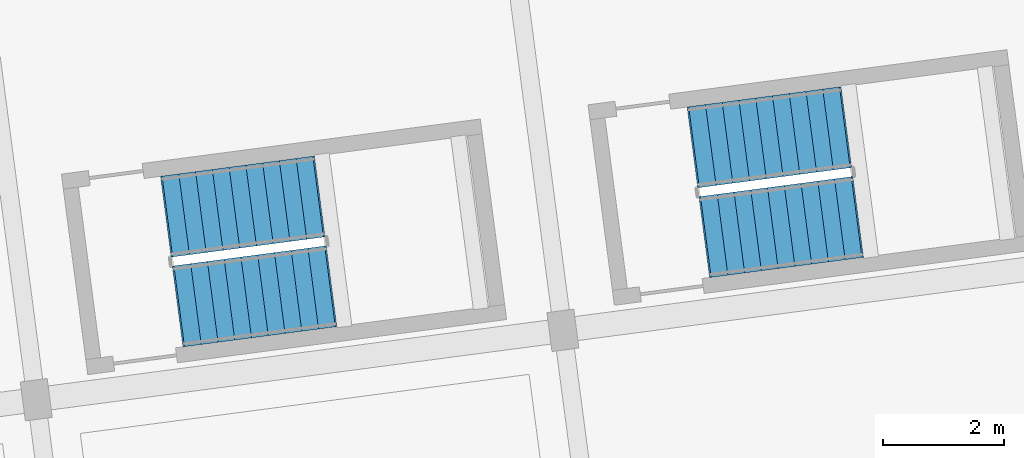
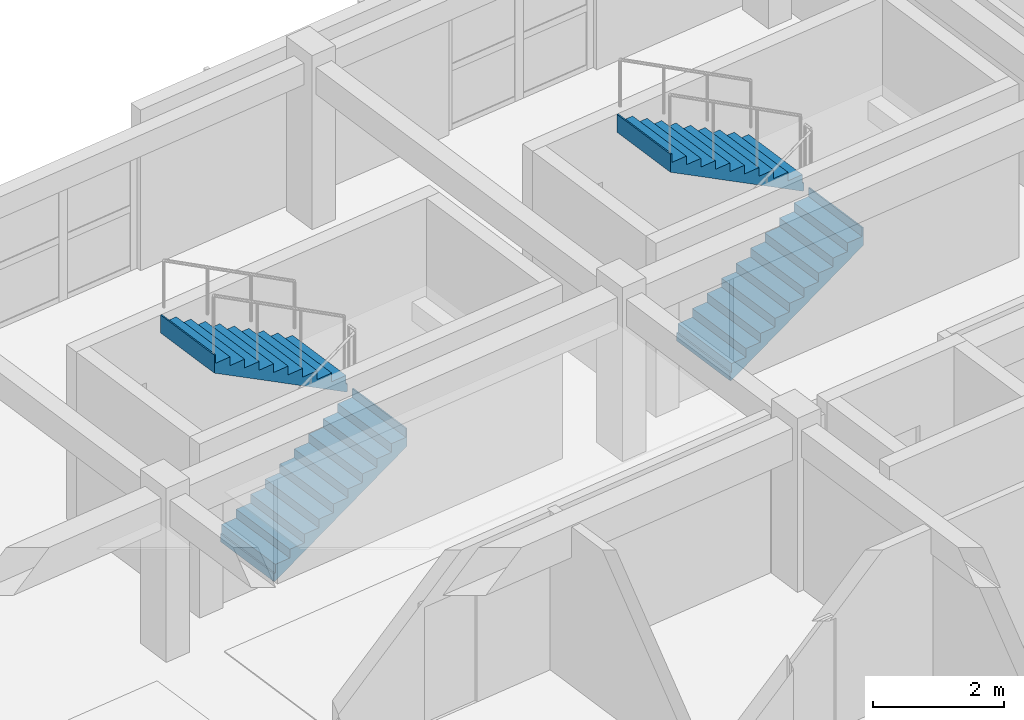
# One storey, part 20 of 31: 4 stair flights, 2 elements without a shape of their own.
"""IFC4 building model written with IfcOpenShell, lengths in metres."""

from ifc_helpers import new_model, si_unit, direction, frame, origin, place, context, subcontext, project, spatial, polyline, outline, extrude, material, type_object, element, aggregate, save


model = new_model("IFC4")

# Units and contexts
model_context = context("Model", 3, precision=1e-05, world=origin(), true_north=direction((0.0, 1.0)))
body_context = subcontext(model_context, "Body", "Model", "MODEL_VIEW")
ifc_project = project(units=[si_unit("LENGTHUNIT", "METRE"), si_unit("AREAUNIT", "SQUARE_METRE"), si_unit("VOLUMEUNIT", "CUBIC_METRE"), si_unit("PLANEANGLEUNIT", "RADIAN"), si_unit("MASSUNIT", "GRAM", prefix="KILO")], contexts=[model_context])

# Site, building, storey
site_placement = place(None, origin())
site = spatial("IfcSite", under=ifc_project, at=site_placement, CompositionType="ELEMENT")
building_placement = place(site_placement, origin())
building = spatial("IfcBuilding", under=site, at=building_placement, Name="Kestramere Prow Commons", CompositionType="ELEMENT")
storey_placement = place(building_placement, frame((0.0, 0.0, 37.64990234375)))
storey = spatial("IfcBuildingStorey", under=building, at=storey_placement, Name="L11", CompositionType="ELEMENT", Elevation=37.64990234375)

# Stair, stair flights
ifc_material = material(Name="Concrete C40/50", Category="concrete")
stair_type = type_object("IfcStairType", Name="ST-DOG-1350", PredefinedType="HALF_TURN_STAIR", material=ifc_material)
stair_1_placement = place(storey_placement, origin())
stair_1 = element("IfcStair", 1, at=stair_1_placement, inside=storey, type_object=stair_type, Name="L11 Block A Exit Stair 1", PredefinedType="HALF_TURN_STAIR")
stair_flight_type = type_object("IfcStairFlightType", Name="SFL-1350", PredefinedType="STRAIGHT", material=ifc_material)
stair_flight_1_placement = place(storey_placement, frame((20.70068359375, 86.79150390625, 0.0), z_axis=(0.0, 0.0, 1.0), x_axis=(0.991444861374, 0.13052619222, 0.0)))
stair_flight_1 = element("IfcStairFlight", 2, at=stair_flight_1_placement, type_object=stair_flight_type, Name="ST-A1 flight 1", NumberOfRisers=10, NumberOfTreads=9, PredefinedType="STRAIGHT", RiserHeight=0.1625, TreadLength=0.28, context=body_context, shape_type="SweptSolid", body=[
    extrude(outline(polyline([(-0.02490234375, 0.0), (0.0, 0.0), (0.0, 0.16259765625), (0.280029296875, 0.16259765625), (0.280029296875, 0.324951171875), (0.56005859375, 0.324951171875), (0.56005859375, 0.487548828125), (0.840087890625, 0.487548828125), (0.840087890625, 0.64990234375), (1.1201171875, 0.64990234375), (1.1201171875, 0.8125), (1.39990234375, 0.8125), (1.39990234375, 0.97509765625), (1.679931640625, 0.97509765625), (1.679931640625, 1.137451171875), (1.9599609375, 1.137451171875), (1.9599609375, 1.300048828125), (2.239990234375, 1.300048828125), (2.239990234375, 1.46240234375), (2.52001953125, 1.46240234375), (2.52001953125, 1.625), (2.544921875, 1.625), (2.544921875, 1.2890625), (0.0, -0.14990234375), (-0.02490234375, -0.14990234375), (-0.02490234375, 0.0)])), frame((0.0, 0.675048828125, 0.0), z_axis=(0.0, -1.0, 0.0), x_axis=(1.0, 0.0, 0.0)), (0.0, 0.0, 1.0), 1.35009765625),
])
stair_flight_2_placement = place(storey_placement, frame((23.003173828125, 88.607666015625, 1.625), z_axis=(0.0, 0.0, 1.0), x_axis=(-0.991444861374, -0.13052619222, 0.0)))
stair_flight_2 = element("IfcStairFlight", 3, at=stair_flight_2_placement, type_object=stair_flight_type, Name="ST-A1 flight 2", NumberOfRisers=10, NumberOfTreads=9, PredefinedType="STRAIGHT", RiserHeight=0.1625, TreadLength=0.28, context=body_context, shape_type="SweptSolid", body=[
    extrude(outline(polyline([(-0.02490234375, 0.0), (0.0, 0.0), (0.0, 0.16259765625), (0.280029296875, 0.16259765625), (0.280029296875, 0.324951171875), (0.56005859375, 0.324951171875), (0.56005859375, 0.487548828125), (0.840087890625, 0.487548828125), (0.840087890625, 0.64990234375), (1.1201171875, 0.64990234375), (1.1201171875, 0.8125), (1.39990234375, 0.8125), (1.39990234375, 0.97509765625), (1.679931640625, 0.97509765625), (1.679931640625, 1.137451171875), (1.9599609375, 1.137451171875), (1.9599609375, 1.300048828125), (2.239990234375, 1.300048828125), (2.239990234375, 1.46240234375), (2.52001953125, 1.46240234375), (2.52001953125, 1.625), (2.544921875, 1.625), (2.544921875, 1.2890625), (0.0, -0.14990234375), (-0.02490234375, -0.14990234375), (-0.02490234375, 0.0)])), frame((0.0, 0.675048828125, 0.0), z_axis=(0.0, -1.0, 0.0), x_axis=(1.0, 0.0, 0.0)), (0.0, 0.0, 1.0), 1.35009765625),
])
aggregate(stair_1, [stair_flight_1, stair_flight_2])

stair_2_placement = place(storey_placement, origin())
stair_2 = element("IfcStair", 4, at=stair_2_placement, inside=storey, type_object=stair_type, Name="L11 Block A Exit Stair 2", PredefinedType="HALF_TURN_STAIR")
stair_flight_3_placement = place(storey_placement, frame((29.42529296875, 87.940185546875, 0.0), z_axis=(0.0, 0.0, 1.0), x_axis=(0.991444861374, 0.13052619222, 0.0)))
stair_flight_3 = element("IfcStairFlight", 5, at=stair_flight_3_placement, type_object=stair_flight_type, Name="ST-A2 flight 1", NumberOfRisers=10, NumberOfTreads=9, PredefinedType="STRAIGHT", RiserHeight=0.1625, TreadLength=0.28, context=body_context, shape_type="SweptSolid", body=[
    extrude(outline(polyline([(-0.02490234375, 0.0), (0.0, 0.0), (0.0, 0.16259765625), (0.280029296875, 0.16259765625), (0.280029296875, 0.324951171875), (0.56005859375, 0.324951171875), (0.56005859375, 0.487548828125), (0.840087890625, 0.487548828125), (0.840087890625, 0.64990234375), (1.1201171875, 0.64990234375), (1.1201171875, 0.8125), (1.39990234375, 0.8125), (1.39990234375, 0.97509765625), (1.679931640625, 0.97509765625), (1.679931640625, 1.137451171875), (1.9599609375, 1.137451171875), (1.9599609375, 1.300048828125), (2.239990234375, 1.300048828125), (2.239990234375, 1.46240234375), (2.52001953125, 1.46240234375), (2.52001953125, 1.625), (2.544921875, 1.625), (2.544921875, 1.2890625), (0.0, -0.14990234375), (-0.02490234375, -0.14990234375), (-0.02490234375, 0.0)])), frame((0.0, 0.675048828125, 0.0), z_axis=(0.0, -1.0, 0.0), x_axis=(1.0, 0.0, 0.0)), (0.0, 0.0, 1.0), 1.35009765625),
])
stair_flight_4_placement = place(storey_placement, frame((31.72802734375, 89.75634765625, 1.625), z_axis=(0.0, 0.0, 1.0), x_axis=(-0.991444861374, -0.13052619222, 0.0)))
stair_flight_4 = element("IfcStairFlight", 6, at=stair_flight_4_placement, type_object=stair_flight_type, Name="ST-A2 flight 2", NumberOfRisers=10, NumberOfTreads=9, PredefinedType="STRAIGHT", RiserHeight=0.1625, TreadLength=0.28, context=body_context, shape_type="SweptSolid", body=[
    extrude(outline(polyline([(-0.02490234375, 0.0), (0.0, 0.0), (0.0, 0.16259765625), (0.280029296875, 0.16259765625), (0.280029296875, 0.324951171875), (0.56005859375, 0.324951171875), (0.56005859375, 0.487548828125), (0.840087890625, 0.487548828125), (0.840087890625, 0.64990234375), (1.1201171875, 0.64990234375), (1.1201171875, 0.8125), (1.39990234375, 0.8125), (1.39990234375, 0.97509765625), (1.679931640625, 0.97509765625), (1.679931640625, 1.137451171875), (1.9599609375, 1.137451171875), (1.9599609375, 1.300048828125), (2.239990234375, 1.300048828125), (2.239990234375, 1.46240234375), (2.52001953125, 1.46240234375), (2.52001953125, 1.625), (2.544921875, 1.625), (2.544921875, 1.2890625), (0.0, -0.14990234375), (-0.02490234375, -0.14990234375), (-0.02490234375, 0.0)])), frame((0.0, 0.675048828125, 0.0), z_axis=(0.0, -1.0, 0.0), x_axis=(1.0, 0.0, 0.0)), (0.0, 0.0, 1.0), 1.35009765625),
])
aggregate(stair_2, [stair_flight_3, stair_flight_4])

save(model, "model.ifc")
